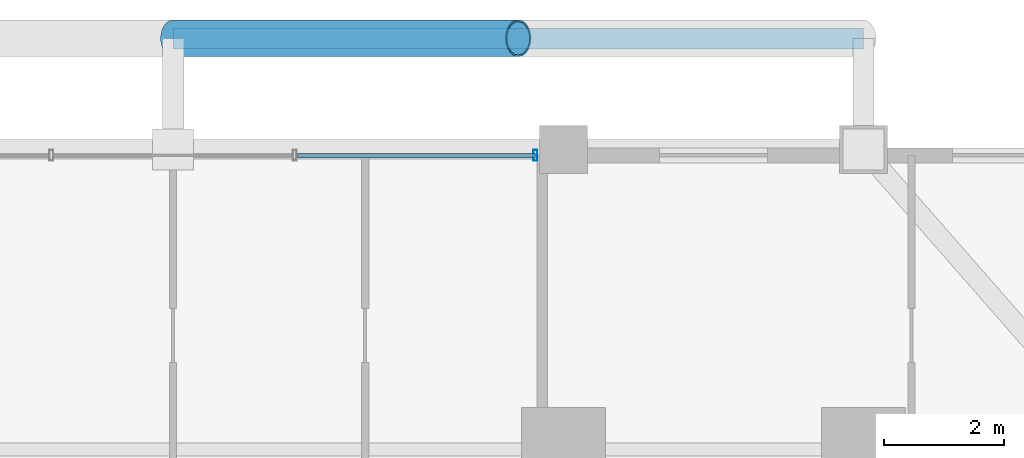
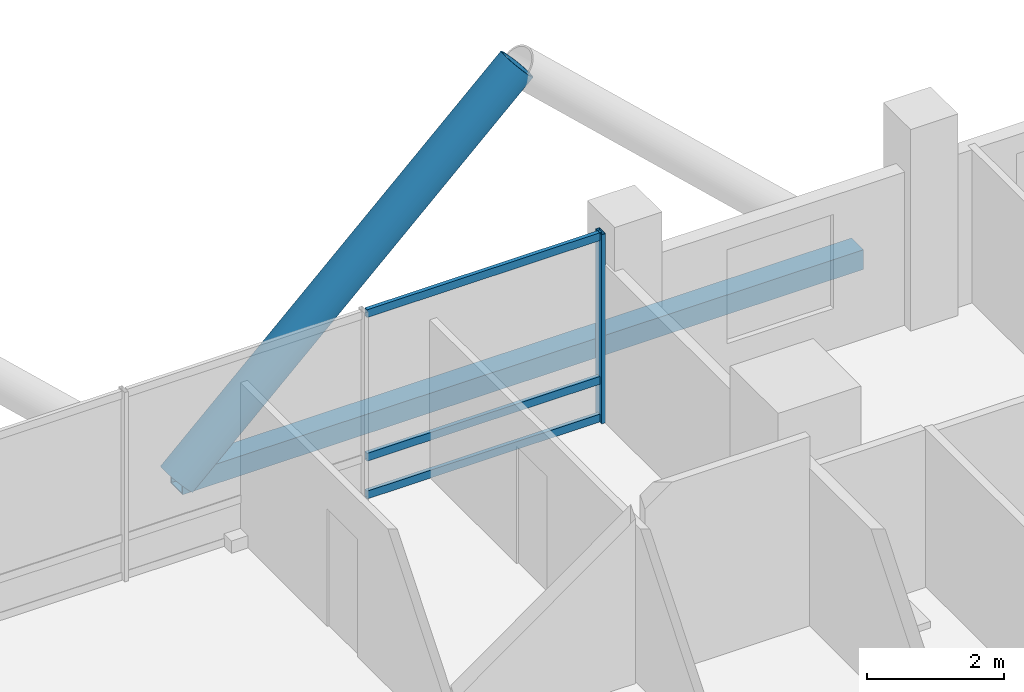
# One storey, part 17 of 28: 6 members, 1 element without a shape of its own.
"""IFC4 building model written with IfcOpenShell, lengths in metres."""

from ifc_helpers import new_model, si_unit, direction, frame, origin, origin_2d, place, context, subcontext, project, spatial, hollow_rectangle, hollow_circle, extrude, material, layer, layer_set, material_profile, profile_set, type_object, element, aggregate, save


model = new_model("IFC4")

# Units and contexts
model_context = context("Model", 3, precision=1e-05, world=origin(), true_north=direction((0.0, 1.0)))
body_context = subcontext(model_context, "Body", "Model", "MODEL_VIEW")
ifc_project = project(units=[si_unit("LENGTHUNIT", "METRE"), si_unit("AREAUNIT", "SQUARE_METRE"), si_unit("VOLUMEUNIT", "CUBIC_METRE"), si_unit("PLANEANGLEUNIT", "RADIAN"), si_unit("MASSUNIT", "GRAM", prefix="KILO")], contexts=[model_context])

# Site, building, storey
site_placement = place(None, origin())
site = spatial("IfcSite", under=ifc_project, at=site_placement, CompositionType="ELEMENT")
building_placement = place(site_placement, origin())
building = spatial("IfcBuilding", under=site, at=building_placement, Name="Barlavira Tower and Art Museum", CompositionType="ELEMENT")
storey_placement = place(building_placement, frame((0.0, 0.0, 39.60009765625)))
storey = spatial("IfcBuildingStorey", under=building, at=storey_placement, Name="L08", CompositionType="ELEMENT", Elevation=39.60009765625)

# Curtain wall, members
ifc_material_1 = material(Name="Low-iron coastal laminated glass", Category="glass")
ifc_layer = layer(ifc_material_1, 0.179931640625, Name="Low-iron coastal laminated glass")
ifc_layer_set = layer_set([ifc_layer], Name="Low-iron coastal laminated glass")
curtain_wall_type = type_object("IfcCurtainWallType", Name="Pale-Metal Unitised Curtain Wall Zone 1", PredefinedType="NOTDEFINED", material=ifc_layer_set)
curtain_wall_placement = place(storey_placement, origin())
curtain_wall = element("IfcCurtainWall", 1, at=curtain_wall_placement, inside=storey, type_object=curtain_wall_type, Name="L08 Curtain Wall CW1-L08-N-B3", PredefinedType="NOTDEFINED")
ifc_material_2 = material(Name="Pale anodised aluminium", Category="aluminium")
ifc_material_profile_1 = material_profile(ifc_material_2, hollow_rectangle(XDim=0.06494140625, YDim=0.179931640625, WallThickness=0.00390625, at=origin_2d()), Name="ALU-MULL 65x180x4")
ifc_profile_set_1 = profile_set([ifc_material_profile_1], Name="Pale anodised aluminium")
member_type_1 = type_object("IfcMemberType", Name="Curtain Wall Pale-Metal Mullion 65x180", PredefinedType="MULLION", material=ifc_profile_set_1)
member_1_placement = place(storey_placement, frame((6.034912109375, 24.89990234375, 0.0), z_axis=(0.0, 0.0, 1.0), x_axis=(-1.0, 0.0, 0.0)))
member_1 = element("IfcMember", 2, at=member_1_placement, type_object=member_type_1, Name="CW1-L08-N-B3 Mullion 0", PredefinedType="MULLION", context=body_context, shape_type="SweptSolid", body=[
    extrude(hollow_rectangle(XDim=0.06494140625, YDim=0.179931640625, WallThickness=0.00390625, at=origin_2d()), origin(), (0.0, 0.0, 1.0), 3.3798828125),
])
ifc_material_profile_2 = material_profile(ifc_material_2, hollow_rectangle(XDim=0.06494140625, YDim=0.139892578125, WallThickness=0.00390625, at=origin_2d()), Name="ALU-TRAN 65x140x4")
ifc_profile_set_2 = profile_set([ifc_material_profile_2], Name="Pale anodised aluminium")
member_type_2 = type_object("IfcMemberType", Name="Curtain Wall Pale-Metal Transom 65x140", PredefinedType="USERDEFINED", material=ifc_profile_set_2)
member_2_placement = place(storey_placement, frame((6.034912109375, 24.89990234375, 0.06982421875), z_axis=(-1.0, 0.0, 0.0), x_axis=(0.0, -1.0, 0.0)))
member_2 = element("IfcMember", 3, at=member_2_placement, type_object=member_type_2, Name="CW1-L08-N-B3 Transom 0.1", ObjectType="TRANSOM", PredefinedType="USERDEFINED", context=body_context, shape_type="SweptSolid", body=[
    extrude(hollow_rectangle(XDim=0.06494140625, YDim=0.139892578125, WallThickness=0.00390625, at=origin_2d()), origin(), (0.0, 0.0, 1.0), 3.963134765625),
])
member_3_placement = place(storey_placement, frame((6.034912109375, 24.89990234375, 0.743896484375), z_axis=(-1.0, 0.0, 0.0), x_axis=(0.0, -1.0, 0.0)))
member_3 = element("IfcMember", 4, at=member_3_placement, type_object=member_type_2, Name="CW1-L08-N-B3 Transom 0.2", ObjectType="TRANSOM", PredefinedType="USERDEFINED", context=body_context, shape_type="SweptSolid", body=[
    extrude(hollow_rectangle(XDim=0.06494140625, YDim=0.139892578125, WallThickness=0.00390625, at=origin_2d()), origin(), (0.0, 0.0, 1.0), 3.963134765625),
])
member_4_placement = place(storey_placement, frame((6.034912109375, 24.89990234375, 3.309814453125), z_axis=(-1.0, 0.0, 0.0), x_axis=(0.0, -1.0, 0.0)))
member_4 = element("IfcMember", 5, at=member_4_placement, type_object=member_type_2, Name="CW1-L08-N-B3 Transom 0.3", ObjectType="TRANSOM", PredefinedType="USERDEFINED", context=body_context, shape_type="SweptSolid", body=[
    extrude(hollow_rectangle(XDim=0.06494140625, YDim=0.139892578125, WallThickness=0.00390625, at=origin_2d()), origin(), (0.0, 0.0, 1.0), 3.963134765625),
])
aggregate(curtain_wall, [member_1, member_2, member_3, member_4])

# Members
ifc_material_3 = material(Name="Steel S355", Category="steel")
ifc_material_profile_3 = material_profile(ifc_material_3, hollow_circle(Radius=0.304931640625, WallThickness=0.028076171875, at=origin_2d()), Name="CHS 610.0x28.0")
ifc_profile_set_3 = profile_set([ifc_material_profile_3], Name="Steel S355")
member_type_3 = type_object("IfcMemberType", Name="Pale-Metal Exoskeleton Diagrid Tube CHS 610x28 Steel S355", PredefinedType="BRACE", material=ifc_profile_set_3)
member_5_placement = place(storey_placement, frame((0.0, 26.85009765625, -0.1201171875), z_axis=(0.728950095515, 0.0, 0.684566839869), x_axis=(0.0, 1.0, 0.0)))
element("IfcMember", 6, at=member_5_placement, inside=storey, type_object=member_type_3, Name="L08 Exoskeleton Diagrid Tube N", PredefinedType="BRACE", context=body_context, shape_type="SweptSolid", body=[
    extrude(hollow_circle(Radius=0.304931640625, WallThickness=0.028076171875, at=origin_2d()), origin(), (0.0, 0.0, 1.0), 7.887939453125),
])
ifc_material_profile_4 = material_profile(ifc_material_3, hollow_rectangle(XDim=0.35009765625, YDim=0.35009765625, WallThickness=0.02001953125, at=origin_2d()), Name="SHS 350x350x20.0")
ifc_profile_set_4 = profile_set([ifc_material_profile_4], Name="Steel S355")
member_type_4 = type_object("IfcMemberType", Name="Pale-Metal Exoskeleton Ring Strut SHS 350x350x20 Steel S355", PredefinedType="STRUT", material=ifc_profile_set_4)
member_6_placement = place(storey_placement, frame((0.0, 26.85009765625, -0.1201171875), z_axis=(1.0, 0.0, 0.0), x_axis=(0.0, 1.0, 0.0)))
element("IfcMember", 7, at=member_6_placement, inside=storey, type_object=member_type_4, Name="L08 Exoskeleton Ring Strut N", PredefinedType="STRUT", context=body_context, shape_type="SweptSolid", body=[
    extrude(hollow_rectangle(XDim=0.35009765625, YDim=0.35009765625, WallThickness=0.02001953125, at=origin_2d()), origin(), (0.0, 0.0, 1.0), 11.5),
])

save(model, "model.ifc")
